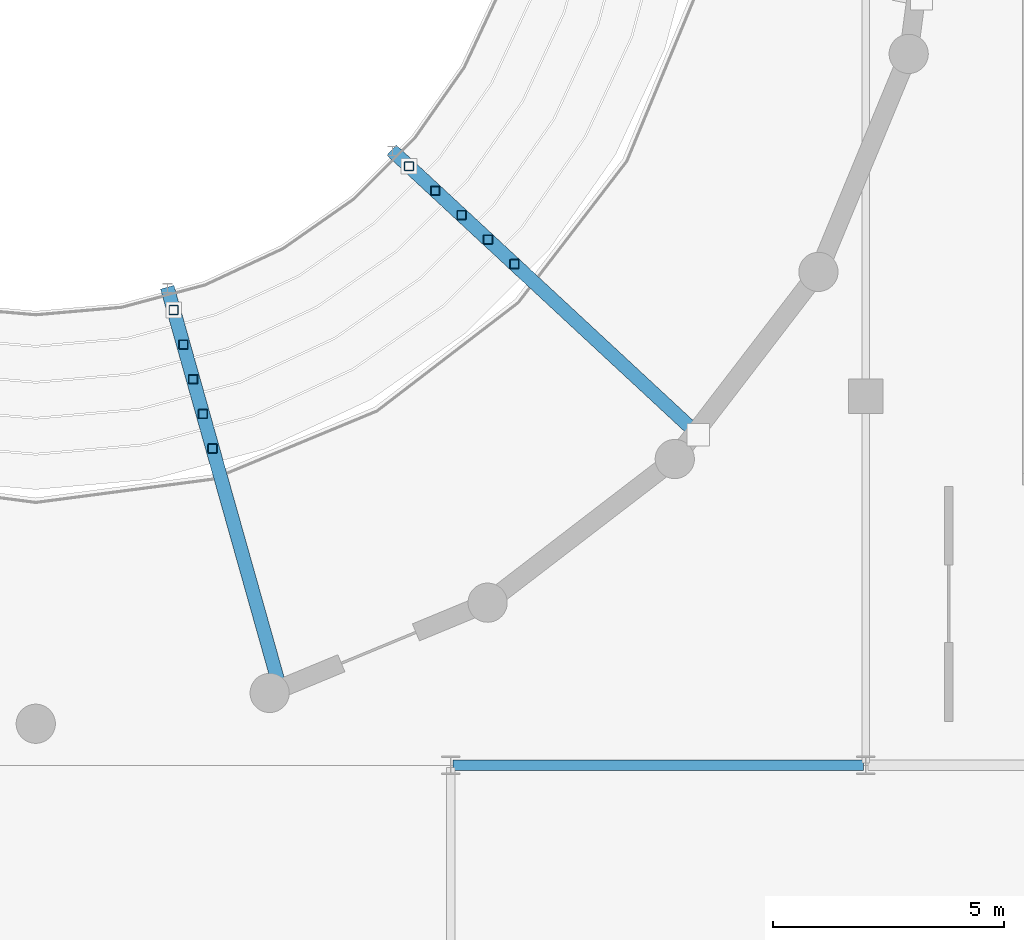
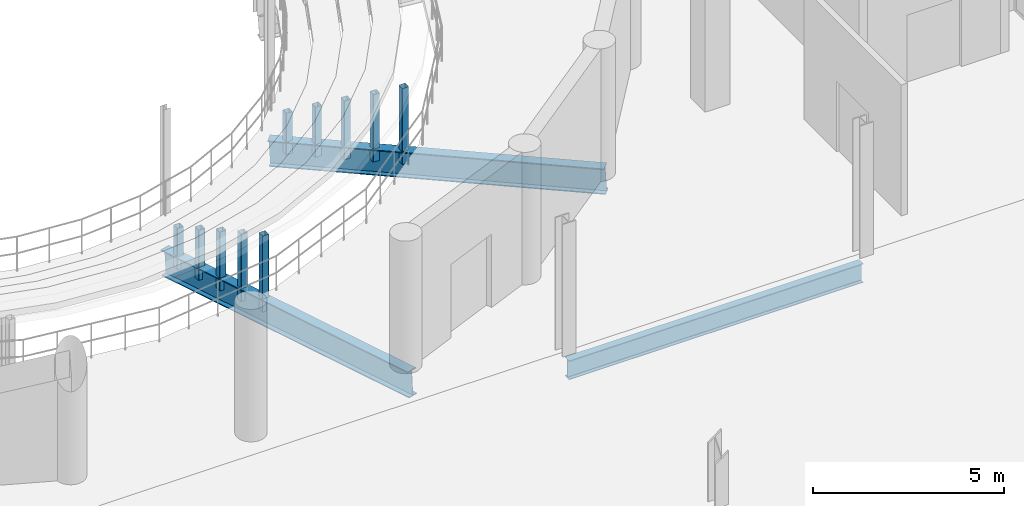
# One storey, part 32 of 85: 10 members, 3 beams.
"""IFC4 building model written with IfcOpenShell, lengths in metres."""

from ifc_helpers import new_model, si_unit, direction, frame, origin, origin_2d, place, context, subcontext, project, spatial, hollow_rectangle, i_section, extrude, material, material_profile, profile_set, type_object, element, save


model = new_model("IFC4")

# Units and contexts
model_context = context("Model", 3, precision=1e-05, world=origin(), true_north=direction((0.0, 1.0)))
body_context = subcontext(model_context, "Body", "Model", "MODEL_VIEW")
ifc_project = project(units=[si_unit("LENGTHUNIT", "METRE"), si_unit("AREAUNIT", "SQUARE_METRE"), si_unit("VOLUMEUNIT", "CUBIC_METRE"), si_unit("PLANEANGLEUNIT", "RADIAN"), si_unit("MASSUNIT", "GRAM", prefix="KILO")], contexts=[model_context])

# Site, building, storey
site_placement = place(None, origin())
site = spatial("IfcSite", under=ifc_project, at=site_placement, CompositionType="ELEMENT")
building_placement = place(site_placement, origin())
building = spatial("IfcBuilding", under=site, at=building_placement, Name="Marnock Terrace Opera House", CompositionType="ELEMENT")
storey_placement = place(building_placement, frame((0.0, 0.0, 10.199951171875)))
storey = spatial("IfcBuildingStorey", under=building, at=storey_placement, Name="L02", CompositionType="ELEMENT", Elevation=10.199951171875)

# Beams
ifc_material_1 = material(Name="Steel Grade 350 (AS/NZS 3679.1)", Category="steel")
ifc_material_profile_1 = material_profile(ifc_material_1, i_section(OverallWidth=0.22802734375, OverallDepth=0.60693359375, WebThickness=0.01123046875, FlangeThickness=0.017333984375, FilletRadius=0.013916015625, at=origin_2d()))
ifc_profile_set_1 = profile_set([ifc_material_profile_1], Name="Steel Grade 350 (AS/NZS 3679.1)")
beam_type_1 = type_object("IfcBeamType", Name="BM-GIRD-610B", PredefinedType="BEAM", material=ifc_profile_set_1)
beam_1_placement = place(storey_placement, frame((91.050048828125, 40.0, -0.5634765625), z_axis=(1.0, 0.0, 0.0), x_axis=(0.0, 1.0, 0.0)))
element("IfcBeam", 1, at=beam_1_placement, inside=storey, type_object=beam_type_1, Name="L02 girder (91.0..100.0, Y=40.0)", PredefinedType="BEAM", context=body_context, shape_type="SweptSolid", body=[
    extrude(i_section(OverallWidth=0.22802734375, OverallDepth=0.60693359375, WebThickness=0.01123046875, FlangeThickness=0.017333984375, FilletRadius=0.013916015625, at=origin_2d()), origin(), (0.0, 0.0, 1.0), 8.89990234375),
])
ifc_material_2 = material(Name="Steel Grade 350 Welded (AS/NZS 3679.2)", Category="steel")
ifc_material_profile_2 = material_profile(ifc_material_2, i_section(OverallWidth=0.300048828125, OverallDepth=0.81591796875, WebThickness=0.013916015625, FlangeThickness=0.028076171875, at=origin_2d()))
ifc_profile_set_2 = profile_set([ifc_material_profile_2], Name="Steel Grade 350 Welded (AS/NZS 3679.2)")
beam_type_2 = type_object("IfcBeamType", Name="BM-RAKER-800", PredefinedType="BEAM", material=ifc_profile_set_2)
beam_2_placement = place(storey_placement, frame((84.857421875, 50.34423828125, -1.218017578125), z_axis=(0.270420407323, -0.961096752439, 0.056265760049), x_axis=(0.962621711454, 0.270849479668, 0.0)))
element("IfcBeam", 2, at=beam_2_placement, inside=storey, type_object=beam_type_2, Name="L02 Auditorium raker girder 5", PredefinedType="BEAM", context=body_context, shape_type="SweptSolid", body=[
    extrude(i_section(OverallWidth=0.300048828125, OverallDepth=0.81591796875, WebThickness=0.013916015625, FlangeThickness=0.028076171875, at=origin_2d()), origin(), (0.0, 0.0, 1.0), 9.064208984375),
])
beam_3_placement = place(storey_placement, frame((89.733642578125, 53.32421875, -1.218017578125), z_axis=(0.73190120059, -0.679083865845, 0.056264871128), x_axis=(0.68016132476, 0.733062461391, 0.0)))
element("IfcBeam", 3, at=beam_3_placement, inside=storey, type_object=beam_type_2, Name="L02 Auditorium raker girder 6", PredefinedType="BEAM", context=body_context, shape_type="SweptSolid", body=[
    extrude(i_section(OverallWidth=0.300048828125, OverallDepth=0.81591796875, WebThickness=0.013916015625, FlangeThickness=0.028076171875, at=origin_2d()), origin(), (0.0, 0.0, 1.0), 9.064453125),
])

# Members
ifc_material_3 = material(Name="Cold-formed Steel Grade C350L0 (AS/NZS 1163)", Category="steel")
ifc_material_profile_3 = material_profile(ifc_material_3, hollow_rectangle(XDim=0.199951171875, YDim=0.199951171875, WallThickness=0.009033203125, InnerFilletRadius=0.009033203125, OuterFilletRadius=0.01806640625, at=origin_2d()))
ifc_profile_set_3 = profile_set([ifc_material_profile_3], Name="Cold-formed Steel Grade C350L0 (AS/NZS 1163)")
member_type = type_object("IfcMemberType", Name="MEM-TRUSS-WEB2", PredefinedType="BRACE", material=ifc_profile_set_3)
member_1_placement = place(storey_placement, frame((84.989990234375, 49.87255859375, -1.1904296875), z_axis=(0.0, 0.0, 1.0), x_axis=(1.0, 0.0, 0.0)))
element("IfcMember", 4, at=member_1_placement, inside=storey, type_object=member_type, Name="L02 Auditorium tier support post 5.1", PredefinedType="BRACE", context=body_context, shape_type="SweptSolid", body=[
    extrude(hollow_rectangle(XDim=0.199951171875, YDim=0.199951171875, WallThickness=0.009033203125, InnerFilletRadius=0.009033203125, OuterFilletRadius=0.01806640625, at=origin_2d()), origin(), (0.0, 0.0, 1.0), 1.325439453125),
])
member_2_placement = place(storey_placement, frame((85.201416015625, 49.121826171875, -1.146240234375), z_axis=(0.0, 0.0, 1.0), x_axis=(1.0, 0.0, 0.0)))
element("IfcMember", 5, at=member_2_placement, inside=storey, type_object=member_type, Name="L02 Auditorium tier support post 5.2", PredefinedType="BRACE", context=body_context, shape_type="SweptSolid", body=[
    extrude(hollow_rectangle(XDim=0.199951171875, YDim=0.199951171875, WallThickness=0.009033203125, InnerFilletRadius=0.009033203125, OuterFilletRadius=0.01806640625, at=origin_2d()), origin(), (0.0, 0.0, 1.0), 1.601318359375),
])
member_3_placement = place(storey_placement, frame((85.41259765625, 48.370849609375, -1.1025390625), z_axis=(0.0, 0.0, 1.0), x_axis=(1.0, 0.0, 0.0)))
element("IfcMember", 6, at=member_3_placement, inside=storey, type_object=member_type, Name="L02 Auditorium tier support post 5.3", PredefinedType="BRACE", context=body_context, shape_type="SweptSolid", body=[
    extrude(hollow_rectangle(XDim=0.199951171875, YDim=0.199951171875, WallThickness=0.009033203125, InnerFilletRadius=0.009033203125, OuterFilletRadius=0.01806640625, at=origin_2d()), origin(), (0.0, 0.0, 1.0), 1.877685546875),
])
member_4_placement = place(storey_placement, frame((85.623779296875, 47.6201171875, -1.058349609375), z_axis=(0.0, 0.0, 1.0), x_axis=(1.0, 0.0, 0.0)))
element("IfcMember", 7, at=member_4_placement, inside=storey, type_object=member_type, Name="L02 Auditorium tier support post 5.4", PredefinedType="BRACE", context=body_context, shape_type="SweptSolid", body=[
    extrude(hollow_rectangle(XDim=0.199951171875, YDim=0.199951171875, WallThickness=0.009033203125, InnerFilletRadius=0.009033203125, OuterFilletRadius=0.01806640625, at=origin_2d()), origin(), (0.0, 0.0, 1.0), 2.1533203125),
])
member_5_placement = place(storey_placement, frame((85.835205078125, 46.869140625, -1.0146484375), z_axis=(0.0, 0.0, 1.0), x_axis=(1.0, 0.0, 0.0)))
element("IfcMember", 8, at=member_5_placement, inside=storey, type_object=member_type, Name="L02 Auditorium tier support post 5.5", PredefinedType="BRACE", context=body_context, shape_type="SweptSolid", body=[
    extrude(hollow_rectangle(XDim=0.199951171875, YDim=0.199951171875, WallThickness=0.009033203125, InnerFilletRadius=0.009033203125, OuterFilletRadius=0.01806640625, at=origin_2d()), origin(), (0.0, 0.0, 1.0), 2.4296875),
])
member_6_placement = place(storey_placement, frame((90.093017578125, 52.990966796875, -1.1904296875), z_axis=(0.0, 0.0, 1.0), x_axis=(1.0, 0.0, 0.0)))
element("IfcMember", 9, at=member_6_placement, inside=storey, type_object=member_type, Name="L02 Auditorium tier support post 6.1", PredefinedType="BRACE", context=body_context, shape_type="SweptSolid", body=[
    extrude(hollow_rectangle(XDim=0.199951171875, YDim=0.199951171875, WallThickness=0.009033203125, InnerFilletRadius=0.009033203125, OuterFilletRadius=0.01806640625, at=origin_2d()), origin(), (0.0, 0.0, 1.0), 1.325439453125),
])
member_7_placement = place(storey_placement, frame((90.664794921875, 52.46044921875, -1.146240234375), z_axis=(0.0, 0.0, 1.0), x_axis=(1.0, 0.0, 0.0)))
element("IfcMember", 10, at=member_7_placement, inside=storey, type_object=member_type, Name="L02 Auditorium tier support post 6.2", PredefinedType="BRACE", context=body_context, shape_type="SweptSolid", body=[
    extrude(hollow_rectangle(XDim=0.199951171875, YDim=0.199951171875, WallThickness=0.009033203125, InnerFilletRadius=0.009033203125, OuterFilletRadius=0.01806640625, at=origin_2d()), origin(), (0.0, 0.0, 1.0), 1.601318359375),
])
member_8_placement = place(storey_placement, frame((91.236572265625, 51.9296875, -1.1025390625), z_axis=(0.0, 0.0, 1.0), x_axis=(1.0, 0.0, 0.0)))
element("IfcMember", 11, at=member_8_placement, inside=storey, type_object=member_type, Name="L02 Auditorium tier support post 6.3", PredefinedType="BRACE", context=body_context, shape_type="SweptSolid", body=[
    extrude(hollow_rectangle(XDim=0.199951171875, YDim=0.199951171875, WallThickness=0.009033203125, InnerFilletRadius=0.009033203125, OuterFilletRadius=0.01806640625, at=origin_2d()), origin(), (0.0, 0.0, 1.0), 1.877685546875),
])
member_9_placement = place(storey_placement, frame((91.80810546875, 51.3994140625, -1.058349609375), z_axis=(0.0, 0.0, 1.0), x_axis=(1.0, 0.0, 0.0)))
element("IfcMember", 12, at=member_9_placement, inside=storey, type_object=member_type, Name="L02 Auditorium tier support post 6.4", PredefinedType="BRACE", context=body_context, shape_type="SweptSolid", body=[
    extrude(hollow_rectangle(XDim=0.199951171875, YDim=0.199951171875, WallThickness=0.009033203125, InnerFilletRadius=0.009033203125, OuterFilletRadius=0.01806640625, at=origin_2d()), origin(), (0.0, 0.0, 1.0), 2.1533203125),
])
member_10_placement = place(storey_placement, frame((92.3798828125, 50.868896484375, -1.0146484375), z_axis=(0.0, 0.0, 1.0), x_axis=(1.0, 0.0, 0.0)))
element("IfcMember", 13, at=member_10_placement, inside=storey, type_object=member_type, Name="L02 Auditorium tier support post 6.5", PredefinedType="BRACE", context=body_context, shape_type="SweptSolid", body=[
    extrude(hollow_rectangle(XDim=0.199951171875, YDim=0.199951171875, WallThickness=0.009033203125, InnerFilletRadius=0.009033203125, OuterFilletRadius=0.01806640625, at=origin_2d()), origin(), (0.0, 0.0, 1.0), 2.4296875),
])

save(model, "model.ifc")
